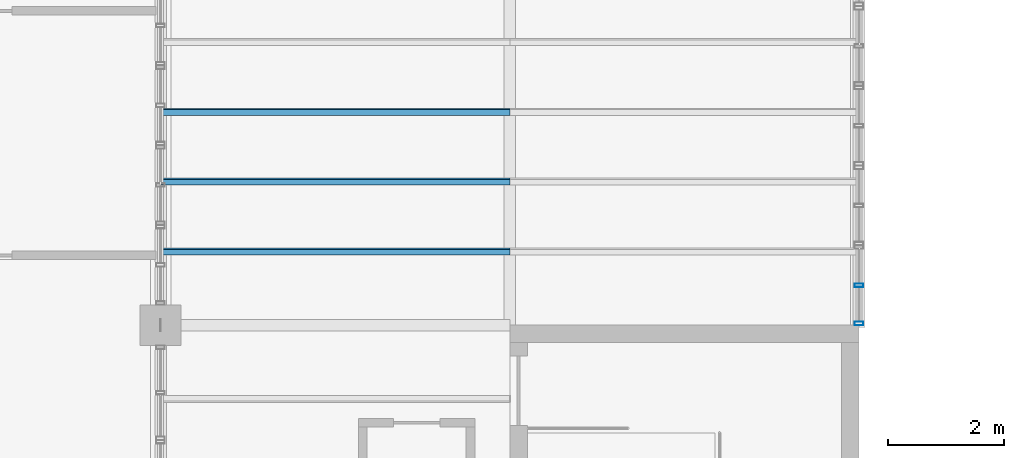
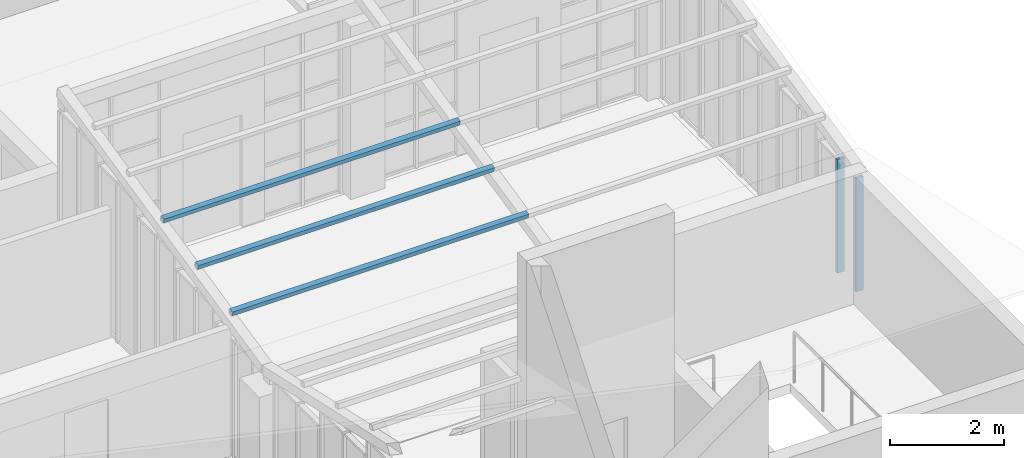
# One storey, part 20 of 51: 5 members, 1 element without a shape of its own.
"""IFC4 building model written with IfcOpenShell, lengths in metres."""

from ifc_helpers import new_model, si_unit, direction, frame, origin, origin_2d, place, context, subcontext, project, spatial, hollow_rectangle, extrude, material, material_profile, profile_set, type_object, element, aggregate, save


model = new_model("IFC4")

# Units and contexts
model_context = context("Model", 3, precision=1e-05, world=origin(), true_north=direction((0.0, 1.0)))
body_context = subcontext(model_context, "Body", "Model", "MODEL_VIEW")
ifc_project = project(units=[si_unit("LENGTHUNIT", "METRE"), si_unit("AREAUNIT", "SQUARE_METRE"), si_unit("VOLUMEUNIT", "CUBIC_METRE"), si_unit("PLANEANGLEUNIT", "RADIAN"), si_unit("MASSUNIT", "GRAM", prefix="KILO")], contexts=[model_context])

# Site, building, storey
site_placement = place(None, origin())
site = spatial("IfcSite", under=ifc_project, at=site_placement, CompositionType="ELEMENT")
building_placement = place(site_placement, origin())
building = spatial("IfcBuilding", under=site, at=building_placement, Name="Laocheng Heights Fire and Rescue Headquarters", CompositionType="ELEMENT")
storey_placement = place(building_placement, frame((0.0, 0.0, 21.0)))
storey = spatial("IfcBuildingStorey", under=building, at=storey_placement, Name="L05", CompositionType="ELEMENT", Elevation=21.0)

# Curtain wall, members
ifc_material_1 = material(Name="Dark anodised aluminium unitised curtain wall, low-e double glazing", Category="aluminium")
curtain_wall_type = type_object("IfcCurtainWallType", Name="CW 1370 x 2429 CREW LOUNGE END UNIT", PredefinedType="NOTDEFINED", material=ifc_material_1)
curtain_wall_placement = place(storey_placement, origin())
curtain_wall = element("IfcCurtainWall", 1, at=curtain_wall_placement, inside=storey, type_object=curtain_wall_type, Name="X21-W CREW LOUNGE EAST 43 1", PredefinedType="NOTDEFINED")
ifc_material_2 = material(Name="Dark anodised aluminium 6063-T5 extrusion", Category="aluminium")
ifc_material_profile_1 = material_profile(ifc_material_2, hollow_rectangle(XDim=0.14990234375, YDim=0.06005859375, WallThickness=0.0029296875, at=origin_2d()), Name="AL MULLION 150x60x3 CREW LOUNGE END UNIT")
ifc_profile_set_1 = profile_set([ifc_material_profile_1], Name="Dark anodised aluminium 6063-T5 extrusion")
member_type_1 = type_object("IfcMemberType", Name="AL MULLION 150x60x3 CREW LOUNGE END UNIT", PredefinedType="MULLION", material=ifc_profile_set_1)
member_1_placement = place(storey_placement, frame((108.0, 43.22998046875, 0.0), z_axis=(0.0, 0.0, 1.0), x_axis=(-1.0, 0.0, 0.0)))
member_1 = element("IfcMember", 2, at=member_1_placement, type_object=member_type_1, Name="X21-W mullion 1", PredefinedType="MULLION", context=body_context, shape_type="SweptSolid", body=[
    extrude(hollow_rectangle(XDim=0.14990234375, YDim=0.06005859375, WallThickness=0.0029296875, at=origin_2d()), origin(), (0.0, 0.0, 1.0), 2.428955078125),
])
member_2_placement = place(storey_placement, frame((108.0, 43.885009765625, 0.0), z_axis=(0.0, 0.0, 1.0), x_axis=(-1.0, 0.0, 0.0)))
member_2 = element("IfcMember", 3, at=member_2_placement, type_object=member_type_1, Name="X21-W mullion 2", PredefinedType="MULLION", context=body_context, shape_type="SweptSolid", body=[
    extrude(hollow_rectangle(XDim=0.14990234375, YDim=0.06005859375, WallThickness=0.0029296875, at=origin_2d()), origin(), (0.0, 0.0, 1.0), 2.428955078125),
])
aggregate(curtain_wall, [member_1, member_2])

# Members
ifc_material_3 = material(Name="Steel Q355B", Category="steel")
ifc_material_profile_2 = material_profile(ifc_material_3, hollow_rectangle(XDim=0.10009765625, YDim=0.10009765625, WallThickness=0.0048828125, at=origin_2d()), Name="RHS 100x100x5")
ifc_profile_set_2 = profile_set([ifc_material_profile_2], Name="Steel Q355B")
member_type_2 = type_object("IfcMemberType", Name="RHS 100x100x5 PURLIN", PredefinedType="PURLIN", material=ifc_profile_set_2)
for number, where, z_axis, x_axis, name in (
    (4, (96.0, 44.465087890625, 2.973876953125), (1.0, 0.0, 0.0), (0.0, 0.976187089372, 0.216930326473), "Butterfly purlin N 1.2"),
    (5, (96.0, 45.6650390625, 3.240478515625), (1.0, 0.0, 0.0), (0.0, 0.976187089372, 0.216930326473), "Butterfly purlin N 2.4"),
    (6, (96.0, 46.864990234375, 3.507080078125), (1.0, 0.0, 0.0), (0.0, 0.976187089372, 0.216930326473), "Butterfly purlin N 3.6"),
):
    element("IfcMember", number, at=place(storey_placement, frame(where, z_axis=z_axis, x_axis=x_axis)), inside=storey, type_object=member_type_2, Name=name, PredefinedType="PURLIN", context=body_context, shape_type="SweptSolid", body=[
        extrude(hollow_rectangle(XDim=0.10009765625, YDim=0.10009765625, WallThickness=0.0048828125, at=origin_2d()), origin(), (0.0, 0.0, 1.0), 6.0),
    ])

save(model, "model.ifc")
